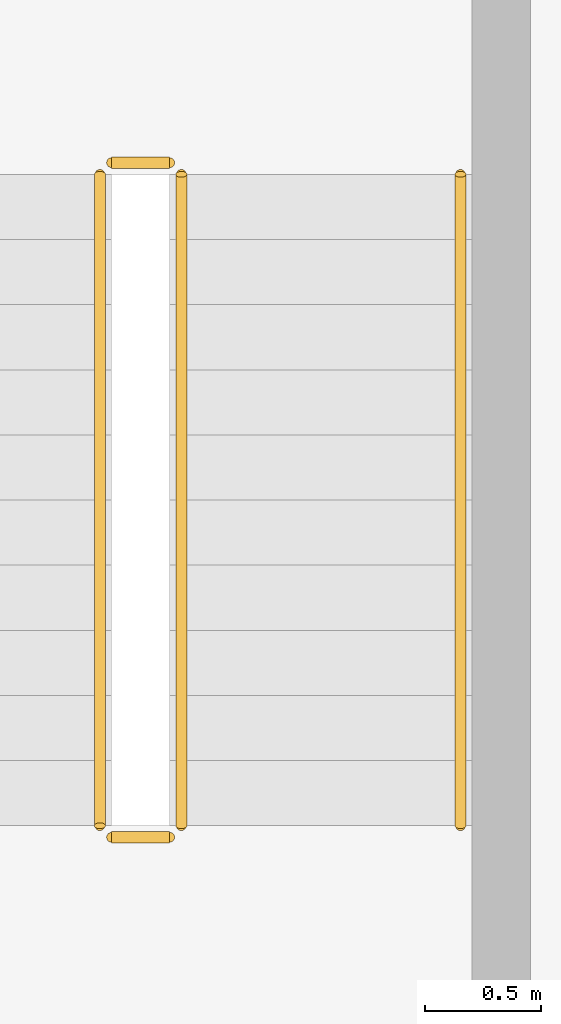
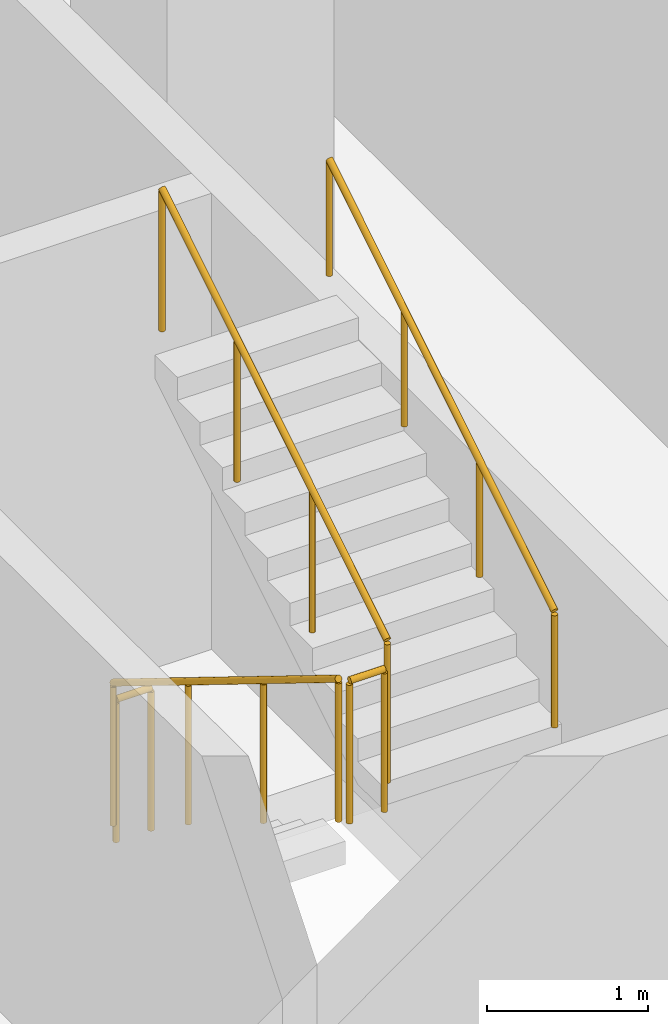
# One storey, part 24 of 28: 5 railings.
"""IFC4 building model written with IfcOpenShell, lengths in metres."""

from ifc_helpers import new_model, si_unit, direction, frame, origin, origin_2d, place, context, subcontext, project, spatial, circle, extrude, material, type_object, element, save


model = new_model("IFC4")

# Units and contexts
model_context = context("Model", 3, precision=1e-05, world=origin(), true_north=direction((0.0, 1.0)))
body_context = subcontext(model_context, "Body", "Model", "MODEL_VIEW")
ifc_project = project(units=[si_unit("LENGTHUNIT", "METRE"), si_unit("AREAUNIT", "SQUARE_METRE"), si_unit("VOLUMEUNIT", "CUBIC_METRE"), si_unit("PLANEANGLEUNIT", "RADIAN"), si_unit("MASSUNIT", "GRAM", prefix="KILO")], contexts=[model_context])

# Site, building, storey
site_placement = place(None, origin())
site = spatial("IfcSite", under=ifc_project, at=site_placement, CompositionType="ELEMENT")
building_placement = place(site_placement, origin())
building = spatial("IfcBuilding", under=site, at=building_placement, Name="Mahtab Terrace Research Tower", CompositionType="ELEMENT")
storey_placement = place(building_placement, frame((0.0, 0.0, 174.39990234375)))
storey = spatial("IfcBuildingStorey", under=building, at=storey_placement, Name="L41", CompositionType="ELEMENT", Elevation=174.39990234375)

# Railings
ifc_material = material(Name="Stainless steel AISI 304", Category="steel")
railing_type_1 = type_object("IfcRailingType", Name="Stair guard 1100", PredefinedType="GUARDRAIL", material=ifc_material)
railing_1_placement = place(storey_placement, frame((2.949951171875, -4.175048828125, 0.1728515625)))
element("IfcRailing", 1, at=railing_1_placement, inside=storey, type_object=railing_type_1, Name="L41 ST2 stair guard 1", PredefinedType="GUARDRAIL", context=body_context, shape_type="SweptSolid", body=[
    extrude(circle(Radius=0.02392578125, at=origin_2d()), frame((0.0, 0.0, 1.076171875), z_axis=(0.0, -0.851089632645, 0.525020415988), x_axis=(1.0, 0.0, 0.0)), (0.0, 0.0, 1.0), 3.2900390625),
    extrude(circle(Radius=0.02099609375, at=origin_2d()), origin(), (0.0, 0.0, 1.0), 1.052001953125),
    extrude(circle(Radius=0.02099609375, at=origin_2d()), frame((0.0, -0.933349609375, 0.57568359375)), (0.0, 0.0, 1.0), 1.052001953125),
    extrude(circle(Radius=0.02099609375, at=origin_2d()), frame((0.0, -1.86669921875, 1.151611328125)), (0.0, 0.0, 1.0), 1.052001953125),
    extrude(circle(Radius=0.02099609375, at=origin_2d()), frame((0.0, -2.800048828125, 1.727294921875)), (0.0, 0.0, 1.0), 1.052001953125),
])
railing_2_placement = place(storey_placement, frame((3.0, -7.02490234375, 1.900146484375)))
element("IfcRailing", 2, at=railing_2_placement, inside=storey, type_object=railing_type_1, Name="L41 ST2 stair guard 2", PredefinedType="GUARDRAIL", context=body_context, shape_type="SweptSolid", body=[
    extrude(circle(Radius=0.02392578125, at=origin_2d()), frame((0.0, 0.0, 1.076171875), z_axis=(1.0, 0.0, 0.0), x_axis=(0.0, 1.0, 0.0)), (0.0, 0.0, 1.0), 0.25),
    extrude(circle(Radius=0.02099609375, at=origin_2d()), origin(), (0.0, 0.0, 1.0), 1.052001953125),
    extrude(circle(Radius=0.02099609375, at=origin_2d()), frame((0.25, 0.0, 0.0)), (0.0, 0.0, 1.0), 1.052001953125),
])
railing_3_placement = place(storey_placement, frame((3.300048828125, -6.97509765625, 2.07275390625)))
element("IfcRailing", 3, at=railing_3_placement, inside=storey, type_object=railing_type_1, Name="L41 ST2 stair guard 3", PredefinedType="GUARDRAIL", context=body_context, shape_type="SweptSolid", body=[
    extrude(circle(Radius=0.02392578125, at=origin_2d()), frame((0.0, 0.0, 1.076171875), z_axis=(0.0, 0.851089632645, 0.525020415988), x_axis=(-1.0, 0.0, 0.0)), (0.0, 0.0, 1.0), 3.2900390625),
    extrude(circle(Radius=0.02099609375, at=origin_2d()), origin(), (0.0, 0.0, 1.0), 1.052001953125),
    extrude(circle(Radius=0.02099609375, at=origin_2d()), frame((0.0, 0.933349609375, 0.57568359375)), (0.0, 0.0, 1.0), 1.052001953125),
    extrude(circle(Radius=0.02099609375, at=origin_2d()), frame((0.0, 1.86669921875, 1.151611328125)), (0.0, 0.0, 1.0), 1.052001953125),
    extrude(circle(Radius=0.02099609375, at=origin_2d()), frame((0.0, 2.800048828125, 1.727294921875)), (0.0, 0.0, 1.0), 1.052001953125),
])
railing_4_placement = place(storey_placement, frame((3.0, -4.125, 0.0)))
element("IfcRailing", 4, at=railing_4_placement, inside=storey, type_object=railing_type_1, Name="L41 ST2 stair guard 4", PredefinedType="GUARDRAIL", context=body_context, shape_type="SweptSolid", body=[
    extrude(circle(Radius=0.02392578125, at=origin_2d()), frame((0.0, 0.0, 1.076171875), z_axis=(1.0, 0.0, 0.0), x_axis=(0.0, 1.0, 0.0)), (0.0, 0.0, 1.0), 0.25),
    extrude(circle(Radius=0.02099609375, at=origin_2d()), origin(), (0.0, 0.0, 1.0), 1.052001953125),
    extrude(circle(Radius=0.02099609375, at=origin_2d()), frame((0.25, 0.0, 0.0)), (0.0, 0.0, 1.0), 1.052001953125),
])
railing_type_2 = type_object("IfcRailingType", Name="Stair handrail 900", PredefinedType="HANDRAIL", material=ifc_material)
railing_5_placement = place(storey_placement, frame((4.5, -6.97509765625, 2.07275390625)))
element("IfcRailing", 5, at=railing_5_placement, inside=storey, type_object=railing_type_2, Name="L41 ST2 stair handrail 2", PredefinedType="HANDRAIL", context=body_context, shape_type="SweptSolid", body=[
    extrude(circle(Radius=0.02392578125, at=origin_2d()), frame((0.0, 0.0, 0.8759765625), z_axis=(0.0, 0.851089632645, 0.525020415988), x_axis=(-1.0, 0.0, 0.0)), (0.0, 0.0, 1.0), 3.2900390625),
    extrude(circle(Radius=0.02099609375, at=origin_2d()), origin(), (0.0, 0.0, 1.0), 0.851806640625),
    extrude(circle(Radius=0.02099609375, at=origin_2d()), frame((0.0, 0.933349609375, 0.57568359375)), (0.0, 0.0, 1.0), 0.851806640625),
    extrude(circle(Radius=0.02099609375, at=origin_2d()), frame((0.0, 1.86669921875, 1.151611328125)), (0.0, 0.0, 1.0), 0.851806640625),
    extrude(circle(Radius=0.02099609375, at=origin_2d()), frame((0.0, 2.800048828125, 1.727294921875)), (0.0, 0.0, 1.0), 0.851806640625),
])

save(model, "model.ifc")
